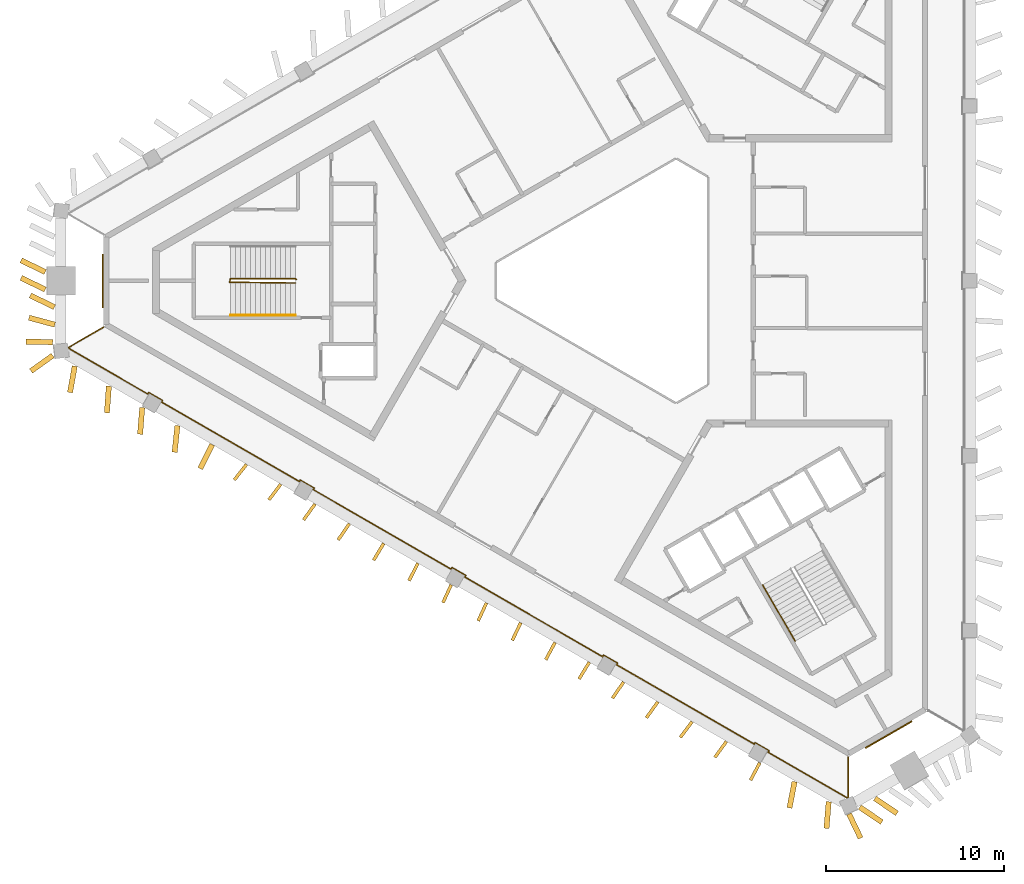
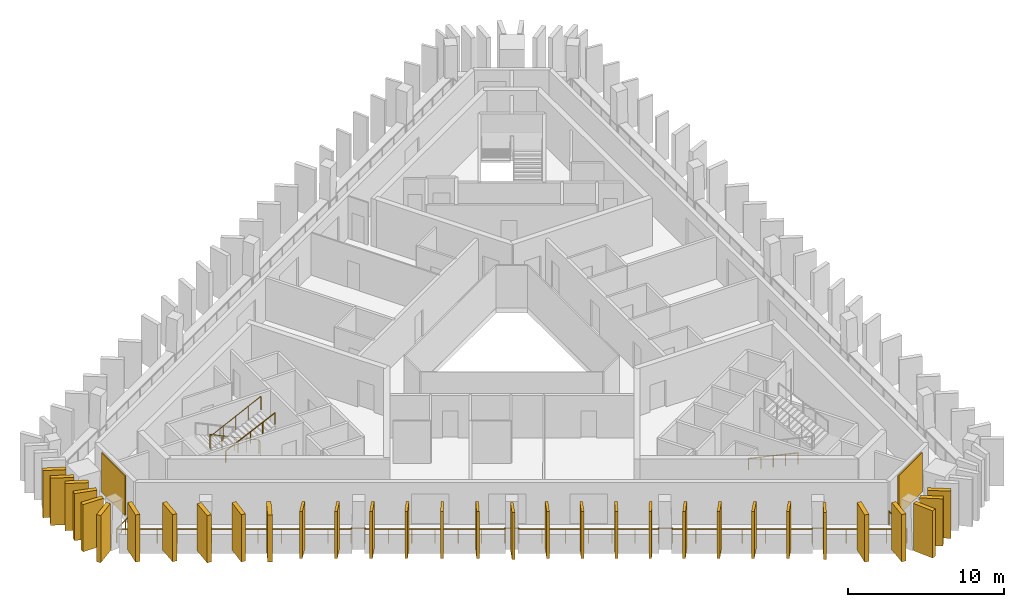
# One storey, part 7 of 10: 32 shading devices, 4 railings, 2 coverings.
"""IFC4 building model written with IfcOpenShell, lengths in metres."""

from ifc_helpers import new_model, si_unit, direction, frame, frame_2d, origin, origin_2d, place, context, subcontext, project, spatial, rectangle, circle, extrude, material, layer, layer_set, type_object, element, save


model = new_model("IFC4")

# Units and contexts
model_context = context("Model", 3, precision=1e-05, world=origin(), true_north=direction((0.0, 1.0)))
body_context = subcontext(model_context, "Body", "Model", "MODEL_VIEW")
ifc_project = project(units=[si_unit("LENGTHUNIT", "METRE"), si_unit("AREAUNIT", "SQUARE_METRE"), si_unit("VOLUMEUNIT", "CUBIC_METRE"), si_unit("PLANEANGLEUNIT", "RADIAN"), si_unit("MASSUNIT", "GRAM", prefix="KILO")], contexts=[model_context])

# Site, building, storey
site_placement = place(None, origin())
site = spatial("IfcSite", under=ifc_project, at=site_placement, CompositionType="ELEMENT")
building_placement = place(site_placement, origin())
building = spatial("IfcBuilding", under=site, at=building_placement, Name="Jabali Bay Hotel Tower and Convention Centre", CompositionType="ELEMENT")
storey_placement = place(building_placement, frame((0.0, 0.0, 266.39990234375)))
storey = spatial("IfcBuildingStorey", under=building, at=storey_placement, Name="L65", CompositionType="ELEMENT", Elevation=266.39990234375)

# Railing
ifc_material_1 = material(Name="Glass", Category="glass")
railing_type_1 = type_object("IfcRailingType", Name="Loggia glass guard 1100", PredefinedType="BALUSTRADE", material=ifc_material_1)
railing_1_placement = place(storey_placement, frame((87.416015625, 53.28564453125, 0.0)))
element("IfcRailing", 1, at=railing_1_placement, inside=storey, type_object=railing_type_1, Name="Loggia glass guard L65", PredefinedType="BALUSTRADE", context=body_context, shape_type="SweptSolid", body=[
    extrude(circle(Radius=0.02490234375, at=origin_2d()), frame((0.0, 0.0, 1.0751953125), z_axis=(0.0, -1.0, 0.0), x_axis=(0.991444861374, 0.0, 0.13052619222)), (0.0, 0.0, 1.0), 2.27490234375),
    extrude(circle(Radius=0.02490234375, at=origin_2d()), frame((0.0, -2.27490234375, 1.0751953125), z_axis=(-0.920154635629, -0.391555164097, 0.0), x_axis=(0.388205355389, -0.912282585163, 0.13052619222)), (0.0, 0.0, 1.0), 0.037353515625),
    extrude(circle(Radius=0.02490234375, at=origin_2d()), frame((-0.034423828125, -2.28955078125, 1.0751953125), z_axis=(-0.866035212034, 0.499983011228, 0.0), x_axis=(-0.495705587256, -0.85862616074, 0.13052619222)), (0.0, 0.0, 1.0), 5.136962890625),
    extrude(circle(Radius=0.02490234375, at=origin_2d()), frame((-4.483154296875, 0.27880859375, 1.0751953125), z_axis=(0.500074377092, 0.865982457891, 0.0), x_axis=(-0.858573857916, 0.495796171473, 0.13052619222)), (0.0, 0.0, 1.0), 0.10009765625),
    extrude(circle(Radius=0.02490234375, at=origin_2d()), frame((-4.43310546875, 0.365478515625, 1.0751953125), z_axis=(-0.866081705922, 0.499902469156, 0.0), x_axis=(-0.495625734232, -0.858672256866, 0.13052619222)), (0.0, 0.0, 1.0), 0.900146484375),
    extrude(circle(Radius=0.02490234375, at=origin_2d()), frame((-5.212646484375, 0.8154296875, 1.0751953125), z_axis=(-0.499298623879, -0.866429964967, 0.0), x_axis=(0.859017536507, -0.495027054936, 0.13052619222)), (0.0, 0.0, 1.0), 0.099853515625),
    extrude(circle(Radius=0.02490234375, at=origin_2d()), frame((-5.262451171875, 0.72900390625, 1.0751953125), z_axis=(-0.866039719717, 0.499975203257, 0.0), x_axis=(-0.495697846083, -0.858630629859, 0.13052619222)), (0.0, 0.0, 1.0), 8.9189453125),
    extrude(circle(Radius=0.02490234375, at=origin_2d()), frame((-12.986572265625, 5.188232421875, 1.0751953125), z_axis=(0.500074377092, 0.865982457891, 0.0), x_axis=(-0.858573857916, 0.495796171473, 0.13052619222)), (0.0, 0.0, 1.0), 0.10009765625),
    extrude(circle(Radius=0.02490234375, at=origin_2d()), frame((-12.9365234375, 5.27490234375, 1.0751953125), z_axis=(-0.866081705922, 0.499902469156, 0.0), x_axis=(-0.495625734232, -0.858672256866, 0.13052619222)), (0.0, 0.0, 1.0), 0.900146484375),
    extrude(circle(Radius=0.02490234375, at=origin_2d()), frame((-13.716064453125, 5.724853515625, 1.0751953125), z_axis=(-0.499298623879, -0.866429964967, 0.0), x_axis=(0.859017536507, -0.495027054936, 0.13052619222)), (0.0, 0.0, 1.0), 0.099853515625),
    extrude(circle(Radius=0.02490234375, at=origin_2d()), frame((-13.765869140625, 5.638427734375, 1.0751953125), z_axis=(-0.866027866997, 0.499995733566, 0.0), x_axis=(-0.495718200753, -0.858618878541, 0.13052619222)), (0.0, 0.0, 1.0), 8.9189453125),
    extrude(circle(Radius=0.02490234375, at=origin_2d()), frame((-21.489990234375, 10.097900390625, 1.0751953125), z_axis=(0.501132629342, 0.865370491644, 0.0), x_axis=(-0.857967127125, 0.496845370228, 0.13052619222)), (0.0, 0.0, 1.0), 0.099853515625),
    extrude(circle(Radius=0.02490234375, at=origin_2d()), frame((-21.43994140625, 10.184326171875, 1.0751953125), z_axis=(-0.865964261186, 0.500105887137, 0.0), x_axis=(-0.495827411944, -0.858555816886, 0.13052619222)), (0.0, 0.0, 1.0), 0.900146484375),
    extrude(circle(Radius=0.02490234375, at=origin_2d()), frame((-22.219482421875, 10.634521484375, 1.0751953125), z_axis=(-0.4982416694, -0.867038199201, 0.0), x_axis=(0.859620567213, -0.493979142849, 0.13052619222)), (0.0, 0.0, 1.0), 0.099853515625),
    extrude(circle(Radius=0.02490234375, at=origin_2d()), frame((-22.269287109375, 10.5478515625, 1.0751953125), z_axis=(-0.866027866997, 0.499995733566, 0.0), x_axis=(-0.495718200753, -0.858618878541, 0.13052619222)), (0.0, 0.0, 1.0), 8.9189453125),
    extrude(circle(Radius=0.02490234375, at=origin_2d()), frame((-29.993408203125, 15.00732421875, 1.0751953125), z_axis=(0.501132629342, 0.865370491644, 0.0), x_axis=(-0.857967127125, 0.496845370228, 0.13052619222)), (0.0, 0.0, 1.0), 0.099853515625),
    extrude(circle(Radius=0.02490234375, at=origin_2d()), frame((-29.943359375, 15.09375, 1.0751953125), z_axis=(-0.865964261186, 0.500105887137, 0.0), x_axis=(-0.495827411944, -0.858555816886, 0.13052619222)), (0.0, 0.0, 1.0), 0.900146484375),
    extrude(circle(Radius=0.02490234375, at=origin_2d()), frame((-30.722900390625, 15.5439453125, 1.0751953125), z_axis=(-0.500074377092, -0.865982457891, 0.0), x_axis=(0.858573857916, -0.495796171473, 0.13052619222)), (0.0, 0.0, 1.0), 0.10009765625),
    extrude(circle(Radius=0.02490234375, at=origin_2d()), frame((-30.77294921875, 15.457275390625, 1.0751953125), z_axis=(-0.866021023613, 0.500007586602, 0.0), x_axis=(-0.495729952384, -0.858612093703, 0.13052619222)), (0.0, 0.0, 1.0), 8.918701171875),
    extrude(circle(Radius=0.02490234375, at=origin_2d()), frame((-38.496826171875, 19.916748046875, 1.0751953125), z_axis=(0.500074377092, 0.865982457891, 0.0), x_axis=(-0.858573857916, 0.495796171473, 0.13052619222)), (0.0, 0.0, 1.0), 0.10009765625),
    extrude(circle(Radius=0.02490234375, at=origin_2d()), frame((-38.44677734375, 20.00341796875, 1.0751953125), z_axis=(-0.866081705922, 0.499902469156, 0.0), x_axis=(-0.495625734232, -0.858672256866, 0.13052619222)), (0.0, 0.0, 1.0), 0.900146484375),
    extrude(circle(Radius=0.02490234375, at=origin_2d()), frame((-39.226318359375, 20.453369140625, 1.0751953125), z_axis=(-0.500074377092, -0.865982457891, 0.0), x_axis=(0.858573857916, -0.495796171473, 0.13052619222)), (0.0, 0.0, 1.0), 0.10009765625),
    extrude(circle(Radius=0.02490234375, at=origin_2d()), frame((-39.2763671875, 20.36669921875, 1.0751953125), z_axis=(-0.866023330383, 0.50000359122, 0.0), x_axis=(-0.495725991184, -0.858614380738, 0.13052619222)), (0.0, 0.0, 1.0), 5.13671875),
    extrude(circle(Radius=0.02490234375, at=origin_2d()), frame((-43.724853515625, 22.93505859375, 1.0751953125), z_axis=(-0.124034734589, 0.992277876714, 0.0), x_axis=(-0.983788801923, -0.12297360024, 0.13052619222)), (0.0, 0.0, 1.0), 0.037353515625),
    extrude(circle(Radius=0.02490234375, at=origin_2d()), frame((-43.7294921875, 22.97216796875, 1.0751953125), z_axis=(0.866035472144, 0.499982560684, 0.0), x_axis=(-0.495705140567, 0.858626418625, 0.13052619222)), (0.0, 0.0, 1.0), 2.27490234375),
    extrude(circle(Radius=0.02001953125, at=origin_2d()), origin(), (0.0, 0.0, 1.0), 1.050048828125),
    extrude(circle(Radius=0.02001953125, at=origin_2d()), frame((0.0, -1.137451171875, 0.0)), (0.0, 0.0, 1.0), 1.050048828125),
    extrude(circle(Radius=0.02001953125, at=origin_2d()), frame((0.0, -2.27490234375, 0.0)), (0.0, 0.0, 1.0), 1.050048828125),
    extrude(circle(Radius=0.02001953125, at=origin_2d()), frame((-0.034423828125, -2.28955078125, 0.0)), (0.0, 0.0, 1.0), 1.050048828125),
    extrude(circle(Radius=0.02001953125, at=origin_2d()), frame((-1.146484375, -1.6474609375, 0.0)), (0.0, 0.0, 1.0), 1.050048828125),
    extrude(circle(Radius=0.02001953125, at=origin_2d()), frame((-2.2587890625, -1.00537109375, 0.0)), (0.0, 0.0, 1.0), 1.050048828125),
    extrude(circle(Radius=0.02001953125, at=origin_2d()), frame((-3.37109375, -0.36328125, 0.0)), (0.0, 0.0, 1.0), 1.050048828125),
    extrude(circle(Radius=0.02001953125, at=origin_2d()), frame((-4.483154296875, 0.27880859375, 0.0)), (0.0, 0.0, 1.0), 1.050048828125),
    extrude(circle(Radius=0.02001953125, at=origin_2d()), frame((-4.43310546875, 0.365478515625, 0.0)), (0.0, 0.0, 1.0), 1.050048828125),
    extrude(circle(Radius=0.02001953125, at=origin_2d()), frame((-5.212646484375, 0.8154296875, 0.0)), (0.0, 0.0, 1.0), 1.050048828125),
    extrude(circle(Radius=0.02001953125, at=origin_2d()), frame((-5.262451171875, 0.72900390625, 0.0)), (0.0, 0.0, 1.0), 1.050048828125),
    extrude(circle(Radius=0.02001953125, at=origin_2d()), frame((-6.5498046875, 1.47216796875, 0.0)), (0.0, 0.0, 1.0), 1.050048828125),
    extrude(circle(Radius=0.02001953125, at=origin_2d()), frame((-7.837158203125, 2.21533203125, 0.0)), (0.0, 0.0, 1.0), 1.050048828125),
    extrude(circle(Radius=0.02001953125, at=origin_2d()), frame((-9.12451171875, 2.95849609375, 0.0)), (0.0, 0.0, 1.0), 1.050048828125),
    extrude(circle(Radius=0.02001953125, at=origin_2d()), frame((-10.411865234375, 3.701904296875, 0.0)), (0.0, 0.0, 1.0), 1.050048828125),
    extrude(circle(Radius=0.02001953125, at=origin_2d()), frame((-11.69921875, 4.445068359375, 0.0)), (0.0, 0.0, 1.0), 1.050048828125),
    extrude(circle(Radius=0.02001953125, at=origin_2d()), frame((-12.986572265625, 5.188232421875, 0.0)), (0.0, 0.0, 1.0), 1.050048828125),
    extrude(circle(Radius=0.02001953125, at=origin_2d()), frame((-12.9365234375, 5.27490234375, 0.0)), (0.0, 0.0, 1.0), 1.050048828125),
    extrude(circle(Radius=0.02001953125, at=origin_2d()), frame((-13.716064453125, 5.724853515625, 0.0)), (0.0, 0.0, 1.0), 1.050048828125),
    extrude(circle(Radius=0.02001953125, at=origin_2d()), frame((-13.765869140625, 5.638427734375, 0.0)), (0.0, 0.0, 1.0), 1.050048828125),
    extrude(circle(Radius=0.02001953125, at=origin_2d()), frame((-15.05322265625, 6.381591796875, 0.0)), (0.0, 0.0, 1.0), 1.050048828125),
    extrude(circle(Radius=0.02001953125, at=origin_2d()), frame((-16.340576171875, 7.125, 0.0)), (0.0, 0.0, 1.0), 1.050048828125),
    extrude(circle(Radius=0.02001953125, at=origin_2d()), frame((-17.6279296875, 7.8681640625, 0.0)), (0.0, 0.0, 1.0), 1.050048828125),
    extrude(circle(Radius=0.02001953125, at=origin_2d()), frame((-18.915283203125, 8.611328125, 0.0)), (0.0, 0.0, 1.0), 1.050048828125),
    extrude(circle(Radius=0.02001953125, at=origin_2d()), frame((-20.20263671875, 9.354736328125, 0.0)), (0.0, 0.0, 1.0), 1.050048828125),
    extrude(circle(Radius=0.02001953125, at=origin_2d()), frame((-21.489990234375, 10.097900390625, 0.0)), (0.0, 0.0, 1.0), 1.050048828125),
    extrude(circle(Radius=0.02001953125, at=origin_2d()), frame((-21.43994140625, 10.184326171875, 0.0)), (0.0, 0.0, 1.0), 1.050048828125),
    extrude(circle(Radius=0.02001953125, at=origin_2d()), frame((-22.219482421875, 10.634521484375, 0.0)), (0.0, 0.0, 1.0), 1.050048828125),
    extrude(circle(Radius=0.02001953125, at=origin_2d()), frame((-22.269287109375, 10.5478515625, 0.0)), (0.0, 0.0, 1.0), 1.050048828125),
    extrude(circle(Radius=0.02001953125, at=origin_2d()), frame((-23.556640625, 11.291015625, 0.0)), (0.0, 0.0, 1.0), 1.050048828125),
    extrude(circle(Radius=0.02001953125, at=origin_2d()), frame((-24.843994140625, 12.034423828125, 0.0)), (0.0, 0.0, 1.0), 1.050048828125),
    extrude(circle(Radius=0.02001953125, at=origin_2d()), frame((-26.13134765625, 12.777587890625, 0.0)), (0.0, 0.0, 1.0), 1.050048828125),
    extrude(circle(Radius=0.02001953125, at=origin_2d()), frame((-27.418701171875, 13.520751953125, 0.0)), (0.0, 0.0, 1.0), 1.050048828125),
    extrude(circle(Radius=0.02001953125, at=origin_2d()), frame((-28.7060546875, 14.26416015625, 0.0)), (0.0, 0.0, 1.0), 1.050048828125),
    extrude(circle(Radius=0.02001953125, at=origin_2d()), frame((-29.993408203125, 15.00732421875, 0.0)), (0.0, 0.0, 1.0), 1.050048828125),
    extrude(circle(Radius=0.02001953125, at=origin_2d()), frame((-29.943359375, 15.09375, 0.0)), (0.0, 0.0, 1.0), 1.050048828125),
    extrude(circle(Radius=0.02001953125, at=origin_2d()), frame((-30.722900390625, 15.5439453125, 0.0)), (0.0, 0.0, 1.0), 1.050048828125),
    extrude(circle(Radius=0.02001953125, at=origin_2d()), frame((-30.77294921875, 15.457275390625, 0.0)), (0.0, 0.0, 1.0), 1.050048828125),
    extrude(circle(Radius=0.02001953125, at=origin_2d()), frame((-32.060302734375, 16.200439453125, 0.0)), (0.0, 0.0, 1.0), 1.050048828125),
    extrude(circle(Radius=0.02001953125, at=origin_2d()), frame((-33.34765625, 16.94384765625, 0.0)), (0.0, 0.0, 1.0), 1.050048828125),
    extrude(circle(Radius=0.02001953125, at=origin_2d()), frame((-34.634765625, 17.68701171875, 0.0)), (0.0, 0.0, 1.0), 1.050048828125),
    extrude(circle(Radius=0.02001953125, at=origin_2d()), frame((-35.922119140625, 18.43017578125, 0.0)), (0.0, 0.0, 1.0), 1.050048828125),
    extrude(circle(Radius=0.02001953125, at=origin_2d()), frame((-37.20947265625, 19.173583984375, 0.0)), (0.0, 0.0, 1.0), 1.050048828125),
    extrude(circle(Radius=0.02001953125, at=origin_2d()), frame((-38.496826171875, 19.916748046875, 0.0)), (0.0, 0.0, 1.0), 1.050048828125),
    extrude(circle(Radius=0.02001953125, at=origin_2d()), frame((-38.44677734375, 20.00341796875, 0.0)), (0.0, 0.0, 1.0), 1.050048828125),
    extrude(circle(Radius=0.02001953125, at=origin_2d()), frame((-39.226318359375, 20.453369140625, 0.0)), (0.0, 0.0, 1.0), 1.050048828125),
    extrude(circle(Radius=0.02001953125, at=origin_2d()), frame((-39.2763671875, 20.36669921875, 0.0)), (0.0, 0.0, 1.0), 1.050048828125),
    extrude(circle(Radius=0.02001953125, at=origin_2d()), frame((-40.388427734375, 21.0087890625, 0.0)), (0.0, 0.0, 1.0), 1.050048828125),
    extrude(circle(Radius=0.02001953125, at=origin_2d()), frame((-41.50048828125, 21.65087890625, 0.0)), (0.0, 0.0, 1.0), 1.050048828125),
    extrude(circle(Radius=0.02001953125, at=origin_2d()), frame((-42.61279296875, 22.29296875, 0.0)), (0.0, 0.0, 1.0), 1.050048828125),
    extrude(circle(Radius=0.02001953125, at=origin_2d()), frame((-43.724853515625, 22.93505859375, 0.0)), (0.0, 0.0, 1.0), 1.050048828125),
    extrude(circle(Radius=0.02001953125, at=origin_2d()), frame((-43.7294921875, 22.97216796875, 0.0)), (0.0, 0.0, 1.0), 1.050048828125),
    extrude(circle(Radius=0.02001953125, at=origin_2d()), frame((-42.744384765625, 23.541015625, 0.0)), (0.0, 0.0, 1.0), 1.050048828125),
    extrude(circle(Radius=0.02001953125, at=origin_2d()), frame((-41.75927734375, 24.109619140625, 0.0)), (0.0, 0.0, 1.0), 1.050048828125),
])

# Shading devices
ifc_material_2 = material(Name="Precast concrete C60", Category="concrete")
ifc_layer_1 = layer(ifc_material_2, 0.179931640625)
ifc_layer_set_1 = layer_set([ifc_layer_1], Name="Precast concrete C60")
shading_device_type_1 = type_object("IfcShadingDeviceType", Name="Precast fin 3680 x 1100", PredefinedType="USERDEFINED", material=ifc_layer_set_1)
for number, where, z_axis, x_axis, name in (
    (2, (53.67578125, 69.699462890625, 0.010009765625), (0.0, 0.0, 1.0), (-0.618830725718, -0.785524368118, 0.0), "Fin L65 067"),
    (3, (55.5986328125, 68.591064453125, 0.010009765625), (0.0, 0.0, 1.0), (-0.605313992554, -0.795986790355, 0.0), "Fin L65 068"),
):
    element("IfcShadingDevice", number, at=place(storey_placement, frame(where, z_axis=z_axis, x_axis=x_axis)), inside=storey, type_object=shading_device_type_1, Name=name, ObjectType="FIN", PredefinedType="USERDEFINED", context=body_context, shape_type="SweptSolid", body=[
        extrude(rectangle(XDim=1.099853515625, YDim=0.179931640625, at=frame_2d((0.5498046875, 0.0))), origin(), (0.0, 0.0, 1.0), 3.68017578125),
    ])
shading_device_1_placement = place(storey_placement, frame((57.52197265625, 67.483154296875, 0.010009765625), z_axis=(0.0, 0.0, 1.0), x_axis=(-0.585701220069, -0.810527038913, 0.0)))
element("IfcShadingDevice", 4, at=shading_device_1_placement, inside=storey, type_object=shading_device_type_1, Name="Fin L65 069", ObjectType="FIN", PredefinedType="USERDEFINED", context=body_context, shape_type="SweptSolid", body=[
    extrude(rectangle(XDim=1.10009765625, YDim=0.179931640625, at=frame_2d((0.550048828125, 0.0))), origin(), (0.0, 0.0, 1.0), 3.68017578125),
])
shading_device_2_placement = place(storey_placement, frame((59.445068359375, 66.375, 0.010009765625), z_axis=(0.0, 0.0, 1.0), x_axis=(-0.569613765658, -0.821912500193, 0.0)))
element("IfcShadingDevice", 5, at=shading_device_2_placement, inside=storey, type_object=shading_device_type_1, Name="Fin L65 070", ObjectType="FIN", PredefinedType="USERDEFINED", context=body_context, shape_type="SweptSolid", body=[
    extrude(rectangle(XDim=1.100341796875, YDim=0.179931640625, at=frame_2d((0.55029296875, 0.0))), origin(), (0.0, 0.0, 1.0), 3.68017578125),
])
shading_device_3_placement = place(storey_placement, frame((61.3701171875, 65.270263671875, 0.010009765625), z_axis=(0.0, 0.0, 1.0), x_axis=(-0.513679391381, -0.857982215941, 0.0)))
element("IfcShadingDevice", 6, at=shading_device_3_placement, inside=storey, type_object=shading_device_type_1, Name="Fin L65 071", ObjectType="FIN", PredefinedType="USERDEFINED", context=body_context, shape_type="SweptSolid", body=[
    extrude(rectangle(XDim=1.099853515625, YDim=0.179931640625, at=frame_2d((0.5498046875, 0.0))), origin(), (0.0, 0.0, 1.0), 3.68017578125),
])
shading_device_4_placement = place(storey_placement, frame((63.290771484375, 64.158203125, 0.010009765625), z_axis=(0.0, 0.0, 1.0), x_axis=(-0.457568614478, -0.889174315331, 0.0)))
element("IfcShadingDevice", 7, at=shading_device_4_placement, inside=storey, type_object=shading_device_type_1, Name="Fin L65 072", ObjectType="FIN", PredefinedType="USERDEFINED", context=body_context, shape_type="SweptSolid", body=[
    extrude(rectangle(XDim=1.10009765625, YDim=0.179931640625, at=frame_2d((0.550048828125, 0.0))), origin(), (0.0, 0.0, 1.0), 3.68017578125),
])
shading_device_5_placement = place(storey_placement, frame((65.1572265625, 62.951904296875, 0.010009765625), z_axis=(0.0, 0.0, 1.0), x_axis=(-0.419297455185, -0.907848910379, 0.0)))
element("IfcShadingDevice", 8, at=shading_device_5_placement, inside=storey, type_object=shading_device_type_1, Name="Fin L65 073", ObjectType="FIN", PredefinedType="USERDEFINED", context=body_context, shape_type="SweptSolid", body=[
    extrude(rectangle(XDim=1.099853515625, YDim=0.179931640625, at=frame_2d((0.5498046875, 0.0))), origin(), (0.0, 0.0, 1.0), 3.68017578125),
])
shading_device_6_placement = place(storey_placement, frame((67.133056640625, 61.935302734375, 0.010009765625), z_axis=(0.0, 0.0, 1.0), x_axis=(-0.419030028282, -0.9079723759, 0.0)))
element("IfcShadingDevice", 9, at=shading_device_6_placement, inside=storey, type_object=shading_device_type_1, Name="Fin L65 074", ObjectType="FIN", PredefinedType="USERDEFINED", context=body_context, shape_type="SweptSolid", body=[
    extrude(rectangle(XDim=1.10009765625, YDim=0.179931640625, at=frame_2d((0.550048828125, 0.0))), origin(), (0.0, 0.0, 1.0), 3.68017578125),
])
shading_device_7_placement = place(storey_placement, frame((69.055908203125, 60.826416015625, 0.010009765625), z_axis=(0.0, 0.0, 1.0), x_axis=(-0.431070591878, -0.902318205966, 0.0)))
element("IfcShadingDevice", 10, at=shading_device_7_placement, inside=storey, type_object=shading_device_type_1, Name="Fin L65 075", ObjectType="FIN", PredefinedType="USERDEFINED", context=body_context, shape_type="SweptSolid", body=[
    extrude(rectangle(XDim=1.099853515625, YDim=0.179931640625, at=frame_2d((0.5498046875, 0.0))), origin(), (0.0, 0.0, 1.0), 3.68017578125),
])
for number, where, z_axis, x_axis, name in (
    (11, (70.980224609375, 59.720458984375, 0.010009765625), (0.0, 0.0, 1.0), (-0.473384998992, -0.880855631037, 0.0), "Fin L65 076"),
    (12, (72.902587890625, 58.611083984375, 0.010009765625), (0.0, 0.0, 1.0), (-0.522858655647, -0.852419395729, 0.0), "Fin L65 077"),
):
    element("IfcShadingDevice", number, at=place(storey_placement, frame(where, z_axis=z_axis, x_axis=x_axis)), inside=storey, type_object=shading_device_type_1, Name=name, ObjectType="FIN", PredefinedType="USERDEFINED", context=body_context, shape_type="SweptSolid", body=[
        extrude(rectangle(XDim=1.10009765625, YDim=0.179931640625, at=frame_2d((0.550048828125, 0.0))), origin(), (0.0, 0.0, 1.0), 3.68017578125),
    ])
for number, where, z_axis, x_axis, name in (
    (13, (74.822265625, 57.497314453125, 0.010009765625), (0.0, 0.0, 1.0), (-0.565360109249, -0.824844195512, 0.0), "Fin L65 078"),
    (14, (76.743408203125, 56.3857421875, 0.010009765625), (0.0, 0.0, 1.0), (-0.583608602969, -0.812035096865, 0.0), "Fin L65 079"),
):
    element("IfcShadingDevice", number, at=place(storey_placement, frame(where, z_axis=z_axis, x_axis=x_axis)), inside=storey, type_object=shading_device_type_1, Name=name, ObjectType="FIN", PredefinedType="USERDEFINED", context=body_context, shape_type="SweptSolid", body=[
        extrude(rectangle(XDim=1.099853515625, YDim=0.179931640625, at=frame_2d((0.5498046875, 0.0))), origin(), (0.0, 0.0, 1.0), 3.68017578125),
    ])
shading_device_8_placement = place(storey_placement, frame((78.664794921875, 55.274658203125, 0.010009765625), z_axis=(0.0, 0.0, 1.0), x_axis=(-0.599005263324, -0.800745087097, 0.0)))
element("IfcShadingDevice", 15, at=shading_device_8_placement, inside=storey, type_object=shading_device_type_1, Name="Fin L65 080", ObjectType="FIN", PredefinedType="USERDEFINED", context=body_context, shape_type="SweptSolid", body=[
    extrude(rectangle(XDim=1.10009765625, YDim=0.179931640625, at=frame_2d((0.550048828125, 0.0))), origin(), (0.0, 0.0, 1.0), 3.68017578125),
])
for number, where, z_axis, x_axis, name in (
    (16, (80.587646484375, 54.166259765625, 0.010009765625), (0.0, 0.0, 1.0), (-0.585304147388, -0.810813822681, 0.0), "Fin L65 081"),
    (17, (82.45947265625, 52.969482421875, 0.010009765625), (0.0, 0.0, 1.0), (-0.469009159697, -0.883193301673, 0.0), "Fin L65 082"),
):
    element("IfcShadingDevice", number, at=place(storey_placement, frame(where, z_axis=z_axis, x_axis=x_axis)), inside=storey, type_object=shading_device_type_1, Name=name, ObjectType="FIN", PredefinedType="USERDEFINED", context=body_context, shape_type="SweptSolid", body=[
        extrude(rectangle(XDim=1.099853515625, YDim=0.179931640625, at=frame_2d((0.5498046875, 0.0))), origin(), (0.0, 0.0, 1.0), 3.68017578125),
    ])
ifc_layer_2 = layer(ifc_material_2, 0.300048828125)
ifc_layer_set_2 = layer_set([ifc_layer_2], Name="Precast concrete C60")
shading_device_type_2 = type_object("IfcShadingDeviceType", Name="Precast fin 3680 x 1500", PredefinedType="USERDEFINED", material=ifc_layer_set_2)
for number, where, z_axis, x_axis, name in (
    (18, (42.3916015625, 80.491455078125, 0.010009765625), (0.0, 0.0, 1.0), (-0.899129499022, 0.43768269784, 0.0), "Fin L65 057"),
    (19, (42.3916015625, 79.508544921875, 0.010009765625), (0.0, 0.0, 1.0), (-0.899129499022, 0.43768269784, 0.0), "Fin L65 058"),
    (20, (42.904296875, 78.525390625, 0.010009765625), (0.0, 0.0, 1.0), (-0.899129499022, 0.43768269784, 0.0), "Fin L65 059"),
    (21, (42.93115234375, 77.542236328125, 0.010009765625), (0.0, 0.0, 1.0), (-0.965977827048, 0.258624897587, 0.0), "Fin L65 060"),
):
    element("IfcShadingDevice", number, at=place(storey_placement, frame(where, z_axis=z_axis, x_axis=x_axis)), inside=storey, type_object=shading_device_type_2, Name=name, ObjectType="FIN", PredefinedType="USERDEFINED", context=body_context, shape_type="SweptSolid", body=[
        extrude(rectangle(XDim=1.5, YDim=0.300048828125, at=frame_2d((0.75, 0.0))), origin(), (0.0, 0.0, 1.0), 3.68017578125),
    ])
shading_device_9_placement = place(storey_placement, frame((42.81396484375, 76.55908203125, 0.010009765625), z_axis=(0.0, 0.0, 1.0), x_axis=(-0.99975853144, 0.021974503703, 0.0)))
element("IfcShadingDevice", 22, at=shading_device_9_placement, inside=storey, type_object=shading_device_type_2, Name="Fin L65 061", ObjectType="FIN", PredefinedType="USERDEFINED", context=body_context, shape_type="SweptSolid", body=[
    extrude(rectangle(XDim=1.499755859375, YDim=0.300048828125, at=frame_2d((0.75, 0.0))), origin(), (0.0, 0.0, 1.0), 3.68017578125),
])
for number, where, z_axis, x_axis, name in (
    (23, (44.046142578125, 75.21533203125, 0.010009765625), (0.0, 0.0, 1.0), (-0.17626379499, -0.98434296593, 0.0), "Fin L65 062"),
    (24, (45.9609375, 74.093017578125, 0.010009765625), (0.0, 0.0, 1.0), (-0.072264874573, -0.997385476084, 0.0), "Fin L65 063"),
    (25, (47.829833984375, 72.890869140625, 0.010009765625), (0.0, 0.0, 1.0), (-0.078774846971, -0.996892433257, 0.0), "Fin L65 064"),
):
    element("IfcShadingDevice", number, at=place(storey_placement, frame(where, z_axis=z_axis, x_axis=x_axis)), inside=storey, type_object=shading_device_type_2, Name=name, ObjectType="FIN", PredefinedType="USERDEFINED", context=body_context, shape_type="SweptSolid", body=[
        extrude(rectangle(XDim=1.5, YDim=0.300048828125, at=frame_2d((0.75, 0.0))), origin(), (0.0, 0.0, 1.0), 3.68017578125),
    ])
for number, where, z_axis, x_axis, name in (
    (26, (49.8076171875, 71.877685546875, 0.010009765625), (0.0, 0.0, 1.0), (-0.107412279136, -0.994214565519, 0.0), "Fin L65 065"),
    (27, (51.755859375, 70.81298828125, 0.010009765625), (0.0, 0.0, 1.0), (-0.449490517944, -0.893285102461, 0.0), "Fin L65 066"),
):
    element("IfcShadingDevice", number, at=place(storey_placement, frame(where, z_axis=z_axis, x_axis=x_axis)), inside=storey, type_object=shading_device_type_2, Name=name, ObjectType="FIN", PredefinedType="USERDEFINED", context=body_context, shape_type="SweptSolid", body=[
        extrude(rectangle(XDim=1.500244140625, YDim=0.300048828125, at=frame_2d((0.75, 0.0))), origin(), (0.0, 0.0, 1.0), 3.68017578125),
    ])
for number, where, z_axis, x_axis, name in (
    (28, (84.412109375, 51.912109375, 0.010009765625), (0.0, 0.0, 1.0), (-0.189789093669, -0.981824882514, 0.0), "Fin L65 083"),
    (29, (86.32666015625, 50.789306640625, 0.010009765625), (0.0, 0.0, 1.0), (-0.082196821581, -0.996616115925, 0.0), "Fin L65 084"),
    (30, (88.06787109375, 50.48388671875, 0.010009765625), (0.0, 0.0, 1.0), (0.828578765843, -0.559872511196, 0.0), "Fin L65 085"),
    (31, (88.919189453125, 50.975341796875, 0.010009765625), (0.0, 0.0, 1.0), (0.828654266351, -0.55976075859, 0.0), "Fin L65 086"),
    (32, (42.8134765625, 75.8115234375, 0.010009765625), (0.0, 0.0, 1.0), (-0.813634484069, -0.581376750769, 0.0), "Fin L65 097"),
):
    element("IfcShadingDevice", number, at=place(storey_placement, frame(where, z_axis=z_axis, x_axis=x_axis)), inside=storey, type_object=shading_device_type_2, Name=name, ObjectType="FIN", PredefinedType="USERDEFINED", context=body_context, shape_type="SweptSolid", body=[
        extrude(rectangle(XDim=1.5, YDim=0.300048828125, at=frame_2d((0.75, 0.0))), origin(), (0.0, 0.0, 1.0), 3.68017578125),
    ])
shading_device_10_placement = place(storey_placement, frame((87.4658203125, 50.1015625, 0.010009765625), z_axis=(0.0, 0.0, 1.0), x_axis=(0.432900365023, -0.901441775137, 0.0)))
element("IfcShadingDevice", 33, at=shading_device_10_placement, inside=storey, type_object=shading_device_type_2, Name="Fin L65 098", ObjectType="FIN", PredefinedType="USERDEFINED", context=body_context, shape_type="SweptSolid", body=[
    extrude(rectangle(XDim=1.500244140625, YDim=0.300048828125, at=frame_2d((0.75, 0.0))), origin(), (0.0, 0.0, 1.0), 3.68017578125),
])

# Coverings
ifc_material_3 = material(Name="Precast concrete C40/50", Category="concrete")
ifc_layer_3 = layer(ifc_material_3, 0.080078125)
ifc_layer_set_3 = layer_set([ifc_layer_3], Name="Precast concrete C40/50")
covering_type = type_object("IfcCoveringType", Name="Relief panel 3000 x 3100", PredefinedType="CLADDING", material=ifc_layer_set_3)
for number, where, z_axis, x_axis, name in (
    (34, (45.61669921875, 80.0, 0.10009765625), (0.0, 0.0, 1.0), (0.0, 1.0, 0.0), "Relief panel L65"),
    (35, (89.691650390625, 54.55322265625, 0.10009765625), (0.0, 0.0, 1.0), (-0.86602542465, -0.49999996386, 0.0), "Relief panel L65"),
):
    element("IfcCovering", number, at=place(storey_placement, frame(where, z_axis=z_axis, x_axis=x_axis)), inside=storey, type_object=covering_type, Name=name, PredefinedType="CLADDING", context=body_context, shape_type="SweptSolid", body=[
        extrude(rectangle(XDim=3.0, YDim=0.080078125, at=origin_2d()), origin(), (0.0, 0.0, 1.0), 3.10009765625),
    ])

# Railings
ifc_material_4 = material(Name="Steel Q355B", Category="steel")
railing_type_2 = type_object("IfcRailingType", Name="Stair guard 1100", PredefinedType="GUARDRAIL", material=ifc_material_4)
railing_2_placement = place(storey_placement, frame((56.469970703125, 80.074951171875, 0.0)))
element("IfcRailing", 36, at=railing_2_placement, inside=storey, type_object=railing_type_2, Name="L65 ST1 stair guard 1", PredefinedType="GUARDRAIL", context=body_context, shape_type="SweptSolid", body=[
    extrude(circle(Radius=0.02392578125, at=origin_2d()), frame((0.0, 0.0, 1.076171875), z_axis=(-0.333514590198, 0.333514590198, 0.881780038474), x_axis=(-0.707106781187, -0.707106781187, 0.0)), (0.0, 0.0, 1.0), 0.150146484375),
    extrude(circle(Radius=0.02392578125, at=origin_2d()), frame((-0.050048828125, 0.050048828125, 1.20849609375), z_axis=(-0.904350763662, 0.0, 0.426789990819), x_axis=(0.0, -1.0, 0.0)), (0.0, 0.0, 1.0), 4.02490234375),
    extrude(circle(Radius=0.02392578125, at=origin_2d()), frame((-3.68994140625, 0.050048828125, 2.92626953125), z_axis=(-0.242814311512, -0.970072785993, 0.0), x_axis=(0.970072785993, -0.242814311512, 0.0)), (0.0, 0.0, 1.0), 0.2060546875),
    extrude(circle(Radius=0.02392578125, at=origin_2d()), frame((-3.739990234375, -0.14990234375, 2.92626953125), z_axis=(0.893864111827, -0.012124000458, 0.448174026692), x_axis=(0.013562335953, 0.999908027292, 0.0)), (0.0, 0.0, 1.0), 4.128173828125),
    extrude(circle(Radius=0.02099609375, at=origin_2d()), origin(), (0.0, 0.0, 1.0), 1.052001953125),
    extrude(circle(Radius=0.02099609375, at=origin_2d()), frame((-0.050048828125, 0.050048828125, 0.13232421875)), (0.0, 0.0, 1.0), 1.052001953125),
    extrude(circle(Radius=0.02099609375, at=origin_2d()), frame((-0.9599609375, 0.050048828125, 0.561767578125)), (0.0, 0.0, 1.0), 1.052001953125),
    extrude(circle(Radius=0.02099609375, at=origin_2d()), frame((-1.8701171875, 0.050048828125, 0.9912109375)), (0.0, 0.0, 1.0), 1.052001953125),
    extrude(circle(Radius=0.02099609375, at=origin_2d()), frame((-2.780029296875, 0.050048828125, 1.420654296875)), (0.0, 0.0, 1.0), 1.052001953125),
    extrude(circle(Radius=0.02099609375, at=origin_2d()), frame((-3.68994140625, 0.050048828125, 1.85009765625)), (0.0, 0.0, 1.0), 1.052001953125),
    extrude(circle(Radius=0.02099609375, at=origin_2d()), frame((-3.739990234375, -0.14990234375, 1.85009765625)), (0.0, 0.0, 1.0), 1.052001953125),
    extrude(circle(Radius=0.02099609375, at=origin_2d()), frame((-2.8173828125, -0.162353515625, 2.3125)), (0.0, 0.0, 1.0), 1.052001953125),
    extrude(circle(Radius=0.02099609375, at=origin_2d()), frame((-1.89501953125, -0.1748046875, 2.775146484375)), (0.0, 0.0, 1.0), 1.052001953125),
    extrude(circle(Radius=0.02099609375, at=origin_2d()), frame((-0.97265625, -0.1875, 3.23779296875)), (0.0, 0.0, 1.0), 1.052001953125),
    extrude(circle(Radius=0.02099609375, at=origin_2d()), frame((-0.050048828125, -0.199951171875, 3.7001953125)), (0.0, 0.0, 1.0), 1.052001953125),
])
railing_type_3 = type_object("IfcRailingType", Name="Stair handrail 900", PredefinedType="HANDRAIL", material=ifc_material_4)
railing_3_placement = place(storey_placement, frame((52.780029296875, 78.074951171875, 1.982177734375)))
element("IfcRailing", 37, at=railing_3_placement, inside=storey, type_object=railing_type_3, Name="L65 ST1 stair handrail 2", PredefinedType="HANDRAIL", context=body_context, shape_type="SweptSolid", body=[
    extrude(circle(Radius=0.02392578125, at=origin_2d()), frame((0.0, 0.0, 0.8759765625), z_axis=(0.904327350853, 0.0, 0.426839598092), x_axis=(0.0, 1.0, 0.0)), (0.0, 0.0, 1.0), 4.02490234375),
    extrude(circle(Radius=0.02099609375, at=origin_2d()), origin(), (0.0, 0.0, 1.0), 0.851806640625),
    extrude(circle(Radius=0.02099609375, at=origin_2d()), frame((0.909912109375, 0.0, 0.429443359375)), (0.0, 0.0, 1.0), 0.851806640625),
    extrude(circle(Radius=0.02099609375, at=origin_2d()), frame((1.81982421875, 0.0, 0.85888671875)), (0.0, 0.0, 1.0), 0.851806640625),
    extrude(circle(Radius=0.02099609375, at=origin_2d()), frame((2.72998046875, 0.0, 1.28857421875)), (0.0, 0.0, 1.0), 0.851806640625),
    extrude(circle(Radius=0.02099609375, at=origin_2d()), frame((3.639892578125, 0.0, 1.718017578125)), (0.0, 0.0, 1.0), 0.851806640625),
])
railing_4_placement = place(storey_placement, frame((82.622802734375, 62.94677734375, 0.13232421875)))
element("IfcRailing", 38, at=railing_4_placement, inside=storey, type_object=railing_type_3, Name="L65 ST3 stair handrail 1", PredefinedType="HANDRAIL", context=body_context, shape_type="SweptSolid", body=[
    extrude(circle(Radius=0.02392578125, at=origin_2d()), frame((0.0, 0.0, 0.8759765625), z_axis=(0.452190331055, -0.783190014029, 0.426775475427), x_axis=(0.866018046521, 0.500012742938, 0.0)), (0.0, 0.0, 1.0), 4.02490234375),
    extrude(circle(Radius=0.02099609375, at=origin_2d()), origin(), (0.0, 0.0, 1.0), 0.851806640625),
    extrude(circle(Radius=0.02099609375, at=origin_2d()), frame((0.455078125, -0.7880859375, 0.429443359375)), (0.0, 0.0, 1.0), 0.851806640625),
    extrude(circle(Radius=0.02099609375, at=origin_2d()), frame((0.91015625, -1.576171875, 0.85888671875)), (0.0, 0.0, 1.0), 0.851806640625),
    extrude(circle(Radius=0.02099609375, at=origin_2d()), frame((1.364990234375, -2.3642578125, 1.288330078125)), (0.0, 0.0, 1.0), 0.851806640625),
    extrude(circle(Radius=0.02099609375, at=origin_2d()), frame((1.820068359375, -3.15234375, 1.7177734375)), (0.0, 0.0, 1.0), 0.851806640625),
])

save(model, "model.ifc")
